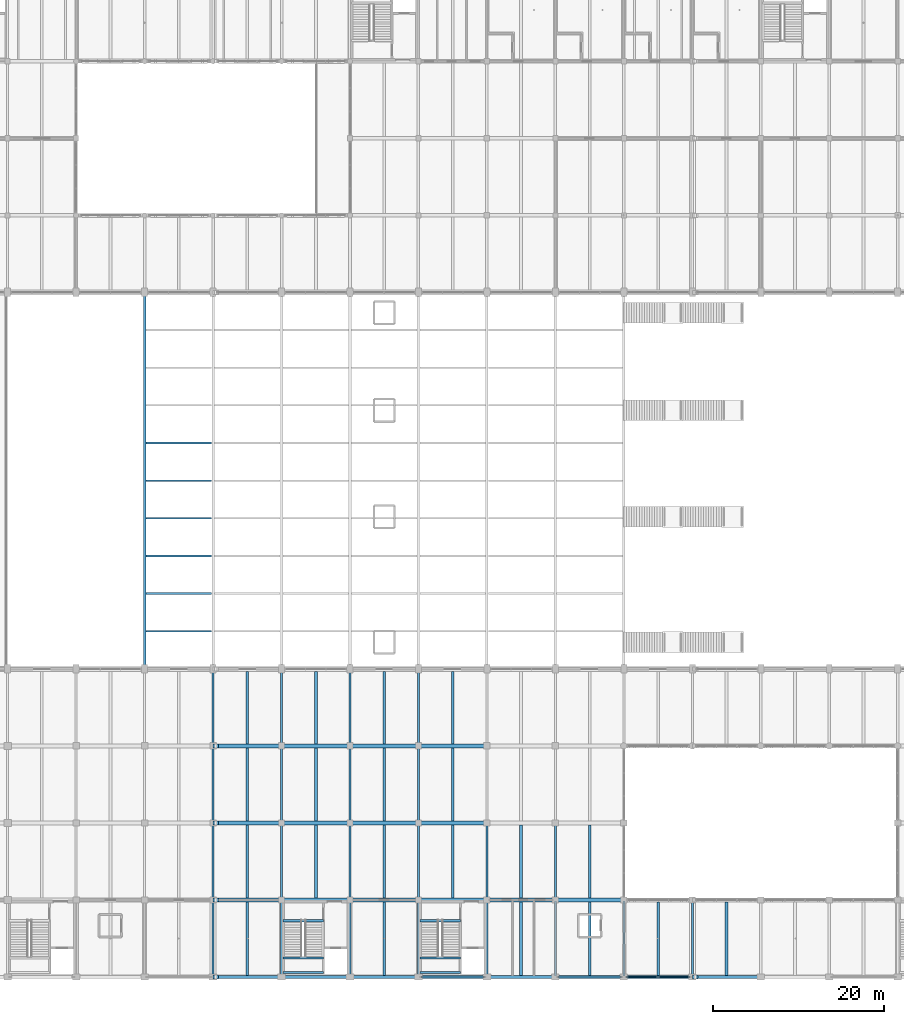
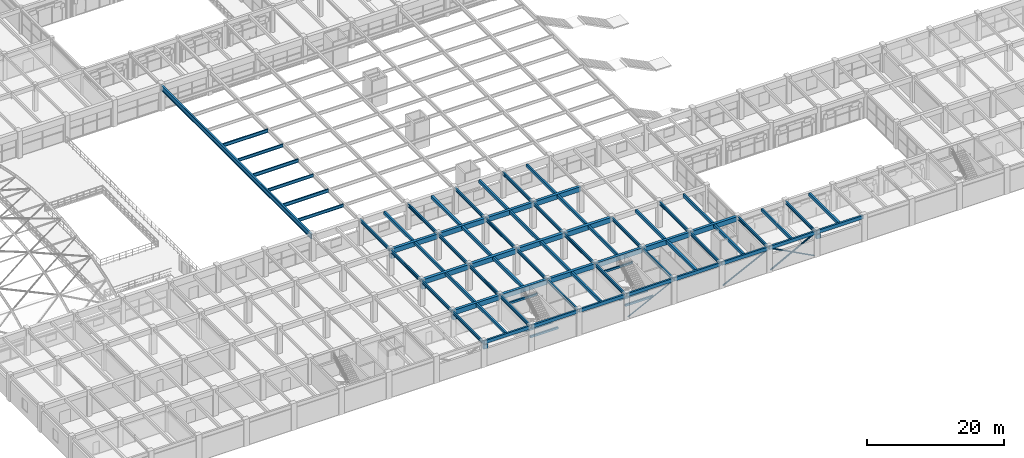
# One storey, part 17 of 144: 82 beams, 5 members.
"""IFC4 building model written with IfcOpenShell, lengths in metres."""

import ifcopenshell
import ifcopenshell.guid

model = None  # the IFC model being written
_history = None  # IfcOwnerHistory: only IFC2X3 demands one
_inside = {}  # id of a spatial element -> (the spatial element, [elements in it])
_under = {}  # id of a project, library or spatial element -> (it, [spatial elements below it])
_declared = {}  # id of a project -> (the project, [libraries it declares])
_typed = {}  # id of a type object -> (the type object, [elements of that type])
_made_of = {}  # id of a material, layer set ... -> (it, [elements and type objects made of it])


def new_model(schema):
    """Start an empty IFC model of exactly this schema.

    Asked for "IFC4X3", IfcOpenShell would pick the latest addendum, in which some entities
    have other attributes; the version numbers below select the first issue.
    IFC2X3 requires an IfcOwnerHistory on every rooted entity: one is made here for all.
    """
    global model, _history
    if schema == "IFC4X3":
        model = ifcopenshell.file(schema_version=(4, 3, 0, 0))
    else:
        model = ifcopenshell.file(schema=schema)
    _inside.clear()
    _under.clear()
    _declared.clear()
    _typed.clear()
    _made_of.clear()
    _history = None
    if model.schema == "IFC2X3":
        org = make("IfcOrganization", Name="unknown")
        user = make(
            "IfcPersonAndOrganization",
            ThePerson=make("IfcPerson", FamilyName="unknown"),
            TheOrganization=org,
        )
        app = make(
            "IfcApplication",
            ApplicationDeveloper=org,
            Version="unknown",
            ApplicationFullName="unknown",
            ApplicationIdentifier="unknown",
        )
        _history = make(
            "IfcOwnerHistory",
            OwningUser=user,
            OwningApplication=app,
            ChangeAction="ADDED",
            CreationDate=0,
        )
    return model


def make(cls, **values):
    """One entity of the class cls with the attributes given. An attribute that is None is left unset."""
    return model.create_entity(
        cls, **{name: value for name, value in values.items() if value is not None}
    )


def rooted(cls, **values):
    """An entity with a GlobalId (a new one), such as an element, a storey or a relation."""
    return make(cls, GlobalId=ifcopenshell.guid.new(), OwnerHistory=_history, **values)


def si_unit(unit_type, name, prefix=None):
    """IfcSIUnit, for example si_unit("LENGTHUNIT", "METRE", prefix="MILLI")."""
    return make("IfcSIUnit", UnitType=unit_type, Prefix=prefix, Name=name)


def assignment(units):
    """IfcUnitAssignment: the units of a project."""
    return None if units is None else make("IfcUnitAssignment", Units=units)


def point(xyz):
    """IfcCartesianPoint."""
    return None if xyz is None else make("IfcCartesianPoint", Coordinates=xyz)


def direction(xyz):
    """IfcDirection."""
    return None if xyz is None else make("IfcDirection", DirectionRatios=xyz)


def frame(location, z_axis=None, x_axis=None):
    """IfcAxis2Placement3D, a coordinate frame: its origin and axes. An axis left out is left unset."""
    return make(
        "IfcAxis2Placement3D",
        Location=point(location),
        Axis=direction(z_axis),
        RefDirection=direction(x_axis),
    )


def frame_2d(location, x_axis=None):
    """IfcAxis2Placement2D, a coordinate frame in the plane: its origin and x axis."""
    return make(
        "IfcAxis2Placement2D", Location=point(location), RefDirection=direction(x_axis)
    )


def origin():
    """The frame at (0, 0, 0) with its axes left unset."""
    return frame((0.0, 0.0, 0.0))


def origin_2d():
    """The frame at (0, 0) in the plane with its x axis left unset."""
    return frame_2d((0.0, 0.0))


def place(relative_to, where):
    """IfcLocalPlacement: puts the frame where relative to a parent placement (None: the world)."""
    return make(
        "IfcLocalPlacement", PlacementRelTo=relative_to, RelativePlacement=where
    )


def context(
    kind, dimensions, precision=None, world=None, true_north=None, identifier=None
):
    """IfcGeometricRepresentationContext, for example the 3D "Model" context."""
    return make(
        "IfcGeometricRepresentationContext",
        ContextIdentifier=identifier,
        ContextType=kind,
        CoordinateSpaceDimension=dimensions,
        Precision=precision,
        WorldCoordinateSystem=world,
        TrueNorth=true_north,
    )


def subcontext(parent, identifier, kind, view, scale=None):
    """IfcGeometricRepresentationSubContext, for example "Body" below "Model"."""
    return make(
        "IfcGeometricRepresentationSubContext",
        ContextIdentifier=identifier,
        ContextType=kind,
        ParentContext=parent,
        TargetScale=scale,
        TargetView=view,
    )


def project(units=None, contexts=None):
    """IfcProject with its units and contexts."""
    return rooted(
        "IfcProject",
        Name="project",
        RepresentationContexts=contexts,
        UnitsInContext=assignment(units),
    )


def spatial(cls, under=None, at=None, **own):
    """A site, building, storey or space (cls), placed at a placement, below another one or the project."""
    s = rooted(cls, ObjectPlacement=at, **own)
    if under is not None:
        _under.setdefault(under.id(), (under, []))[1].append(s)
    return s


def profile(cls, at=None, kind="AREA", **sizes):
    """A parametric profile (cls). Its sizes go by their IFC names, for example OverallWidth=200.0."""
    return make(cls, ProfileType=kind, Position=at, **sizes)


def rectangle(**sizes):
    """IfcRectangleProfileDef."""
    return profile("IfcRectangleProfileDef", **sizes)


def hollow_circle(**sizes):
    """IfcCircleHollowProfileDef."""
    return profile("IfcCircleHollowProfileDef", **sizes)


def i_section(**sizes):
    """IfcIShapeProfileDef."""
    return profile("IfcIShapeProfileDef", **sizes)


def extrude(swept, where, along, depth):
    """IfcExtrudedAreaSolid: the profile swept, set in the frame where, extruded along a direction by depth."""
    return make(
        "IfcExtrudedAreaSolid",
        SweptArea=swept,
        Position=where,
        ExtrudedDirection=direction(along),
        Depth=depth,
    )


def shape(context_of_items, identifier, shape_type, items):
    """IfcShapeRepresentation: the items that make up one representation, for example the "Body"."""
    return make(
        "IfcShapeRepresentation",
        ContextOfItems=context_of_items,
        RepresentationIdentifier=identifier,
        RepresentationType=shape_type,
        Items=items,
    )


def material(Name=None, Category=None):
    """IfcMaterial."""
    return make("IfcMaterial", Name=Name, Category=Category)


def material_profile(
    of_material, cross_section, Name=None, Category=None, Priority=None
):
    """IfcMaterialProfile: a cross section and its material."""
    return make(
        "IfcMaterialProfile",
        Name=Name,
        Material=of_material,
        Profile=cross_section,
        Priority=Priority,
        Category=Category,
    )


def profile_set(profiles, Name=None, composite=None):
    """IfcMaterialProfileSet."""
    return make(
        "IfcMaterialProfileSet",
        Name=Name,
        MaterialProfiles=profiles,
        CompositeProfile=composite,
    )


def made_of(thing, what):
    """Note that an element or type object is made of a material, layer set ...; save() writes the relation."""
    if what is not None:
        _made_of.setdefault(what.id(), (what, []))[1].append(thing)
    return thing


def type_object(cls, material=None, **own):
    """A type object (cls), such as IfcWallType, which elements share."""
    return made_of(rooted(cls, **own), material)


def element(
    cls,
    number,
    at=None,
    inside=None,
    cuts=None,
    type_object=None,
    material=None,
    context=None,
    identifier="Body",
    shape_type=None,
    held_by="IfcProductDefinitionShape",
    body=None,
    shapes=None,
    **own,
):
    """One element of the class cls, such as IfcWall. Its Tag is "e" and its number.

    at: its placement. inside: the storey or other place that contains it. cuts: it is an
    opening in that element (IfcRelVoidsElement). A single representation is given by context,
    identifier, shape_type and body (its items); several are given by shapes. held_by: the class
    of the entity that holds the representations. save() writes the other relations.
    """
    e = rooted(cls, Tag="e%d" % number, ObjectPlacement=at, **own)
    if body is not None:
        shapes = [shape(context, identifier, shape_type, body)]
    if shapes is not None:
        e.Representation = make(held_by, Representations=shapes)
    if inside is not None:
        _inside.setdefault(inside.id(), (inside, []))[1].append(e)
    if cuts is not None:
        rooted(
            "IfcRelVoidsElement", RelatingBuildingElement=cuts, RelatedOpeningElement=e
        )
    if type_object is not None:
        _typed.setdefault(type_object.id(), (type_object, []))[1].append(e)
    return made_of(e, material)


def aggregate(whole, parts):
    """IfcRelAggregates: a whole, such as a stair, and the parts it consists of."""
    return rooted("IfcRelAggregates", RelatingObject=whole, RelatedObjects=parts)


def save(model, path):
    """Write the relations noted so far, then the file.

    IfcRelAggregates (storeys below a building ...), IfcRelContainedInSpatialStructure (elements
    in a storey), IfcRelDefinesByType, IfcRelAssociatesMaterial and IfcRelDeclares: one each for
    every whole, place, type object, material and project.
    """
    for whole, parts in _under.values():
        aggregate(whole, parts)
    for where, things in _inside.values():
        rooted(
            "IfcRelContainedInSpatialStructure",
            RelatedElements=things,
            RelatingStructure=where,
        )
    for kind, things in _typed.values():
        rooted("IfcRelDefinesByType", RelatedObjects=things, RelatingType=kind)
    for what, things in _made_of.values():
        rooted("IfcRelAssociatesMaterial", RelatedObjects=things, RelatingMaterial=what)
    for by, libraries in _declared.values():
        rooted("IfcRelDeclares", RelatingContext=by, RelatedDefinitions=libraries)
    model.write(path)


model = new_model("IFC4")

# Units and contexts
model_context = context("Model", 3, precision=1e-05, world=origin(), true_north=direction((0.0, 1.0)))
body_context = subcontext(model_context, "Body", "Model", "MODEL_VIEW")
ifc_project = project(units=[si_unit("LENGTHUNIT", "METRE"), si_unit("AREAUNIT", "SQUARE_METRE"), si_unit("VOLUMEUNIT", "CUBIC_METRE"), si_unit("PLANEANGLEUNIT", "RADIAN"), si_unit("MASSUNIT", "GRAM", prefix="KILO")], contexts=[model_context])

# Site, building, storey
site_placement = place(None, origin())
site = spatial("IfcSite", under=ifc_project, at=site_placement, CompositionType="ELEMENT")
building_placement = place(site_placement, origin())
building = spatial("IfcBuilding", under=site, at=building_placement, Name="Varnabhumi Central Station", CompositionType="ELEMENT")
storey_placement = place(building_placement, frame((0.0, 0.0, 4.800048828125)))
storey = spatial("IfcBuildingStorey", under=building, at=storey_placement, Name="L01", CompositionType="ELEMENT", Elevation=4.800048828125)

# Beams
ifc_material_1 = material(Name="Structural steel E450", Category="steel")
ifc_material_profile_1 = material_profile(ifc_material_1, i_section(OverallWidth=0.300048828125, OverallDepth=0.89990234375, WebThickness=0.0185546875, FlangeThickness=0.034912109375, FilletRadius=0.030029296875, at=origin_2d()), Name="Structural steel E450", Category="steel")
ifc_profile_set_1 = profile_set([ifc_material_profile_1], Name="Structural steel E450")
beam_type_1 = type_object("IfcBeamType", Name="BM-CONC-WPB900", PredefinedType="BEAM", material=ifc_profile_set_1)
beam_1_placement = place(storey_placement, frame((56.0, 36.10009765625, 4.030029296875), z_axis=(0.0, 1.0, 0.0), x_axis=(-1.0, 0.0, 0.0)))
element("IfcBeam", 1, at=beam_1_placement, inside=storey, type_object=beam_type_1, Name="Concourse Bridge Plate Girder G-8", PredefinedType="BEAM", context=body_context, shape_type="SweptSolid", body=[
    extrude(i_section(OverallWidth=0.300048828125, OverallDepth=0.89990234375, WebThickness=0.0185546875, FlangeThickness=0.034912109375, FilletRadius=0.030029296875, at=origin_2d()), origin(), (0.0, 0.0, 1.0), 43.7998046875),
])
ifc_material_2 = material(Name="Structural steel E350", Category="steel")
ifc_material_profile_2 = material_profile(ifc_material_2, i_section(OverallWidth=0.18994140625, OverallDepth=0.550048828125, WebThickness=0.01123046875, FlangeThickness=0.019287109375, FilletRadius=0.01806640625, at=origin_2d()), Name="Structural steel E350", Category="steel")
ifc_profile_set_2 = profile_set([ifc_material_profile_2], Name="Structural steel E350")
beam_type_2 = type_object("IfcBeamType", Name="BM-JST-ISMB550", PredefinedType="JOIST", material=ifc_profile_set_2)
for number, where, z_axis, x_axis, name in (
    (2, (56.155029296875, 40.39990234375, 4.204833984375), (1.0, 0.0, 0.0), (0.0, 1.0, 0.0), "Concourse Stringer 8-9-S1"),
    (3, (56.155029296875, 49.199951171875, 4.204833984375), (1.0, 0.0, 0.0), (0.0, 1.0, 0.0), "Concourse Stringer 8-9-S3"),
    (4, (56.155029296875, 58.0, 4.204833984375), (1.0, 0.0, 0.0), (0.0, 1.0, 0.0), "Concourse Stringer 8-9-S5"),
):
    element("IfcBeam", number, at=place(storey_placement, frame(where, z_axis=z_axis, x_axis=x_axis)), inside=storey, type_object=beam_type_2, Name=name, PredefinedType="JOIST", context=body_context, shape_type="SweptSolid", body=[
        extrude(i_section(OverallWidth=0.18994140625, OverallDepth=0.550048828125, WebThickness=0.01123046875, FlangeThickness=0.019287109375, FilletRadius=0.01806640625, at=origin_2d()), origin(), (0.0, 0.0, 1.0), 7.68994140625),
    ])
ifc_material_profile_3 = material_profile(ifc_material_2, i_section(OverallWidth=0.2099609375, OverallDepth=0.60009765625, WebThickness=0.011962890625, FlangeThickness=0.020751953125, FilletRadius=0.02001953125, at=origin_2d()), Name="Structural steel E350", Category="steel")
ifc_profile_set_3 = profile_set([ifc_material_profile_3], Name="Structural steel E350")
beam_type_3 = type_object("IfcBeamType", Name="BM-JST-ISMB600", PredefinedType="JOIST", material=ifc_profile_set_3)
for number, where, z_axis, x_axis, name in (
    (5, (56.155029296875, 44.800048828125, 4.179931640625), (1.0, 0.0, 0.0), (0.0, 1.0, 0.0), "Concourse Stringer 8-9-S2"),
    (6, (56.155029296875, 53.60009765625, 4.179931640625), (1.0, 0.0, 0.0), (0.0, 1.0, 0.0), "Concourse Stringer 8-9-S4"),
    (7, (56.155029296875, 62.39990234375, 4.179931640625), (1.0, 0.0, 0.0), (0.0, 1.0, 0.0), "Concourse Stringer 8-9-S6"),
):
    element("IfcBeam", number, at=place(storey_placement, frame(where, z_axis=z_axis, x_axis=x_axis)), inside=storey, type_object=beam_type_3, Name=name, PredefinedType="JOIST", context=body_context, shape_type="SweptSolid", body=[
        extrude(i_section(OverallWidth=0.2099609375, OverallDepth=0.60009765625, WebThickness=0.011962890625, FlangeThickness=0.020751953125, FilletRadius=0.02001953125, at=origin_2d()), origin(), (0.0, 0.0, 1.0), 7.68994140625),
    ])
ifc_material_3 = material(Name="Concrete M35", Category="concrete")
ifc_material_profile_4 = material_profile(ifc_material_3, rectangle(XDim=0.25, YDim=0.35009765625, at=origin_2d()), Name="Concrete M35", Category="concrete")
ifc_profile_set_4 = profile_set([ifc_material_profile_4], Name="Concrete M35")
beam_type_4 = type_object("IfcBeamType", Name="BM-RC-250x350", PredefinedType="LINTEL", material=ifc_profile_set_4)
for number, where, z_axis, x_axis, name in (
    (8, (88.179931640625, 0.5400390625, 2.044921875), (1.0, 0.0, 0.0), (0.0, 1.0, 0.0), "ST-S2 L01 Half Landing Support Beam 1"),
    (9, (88.179931640625, 2.205078125, 2.044921875), (1.0, 0.0, 0.0), (0.0, 1.0, 0.0), "ST-S2 L01 Half Landing Support Beam 2"),
    (10, (88.179931640625, 6.580078125, 4.375), (1.0, 0.0, 0.0), (0.0, 1.0, 0.0), "ST-S2 L01 Floor Opening Trimmer Beam"),
    (11, (72.179931640625, 0.5400390625, 2.044921875), (1.0, 0.0, 0.0), (0.0, 1.0, 0.0), "ST-S4 L01 Half Landing Support Beam 1"),
    (12, (72.179931640625, 2.205078125, 2.044921875), (1.0, 0.0, 0.0), (0.0, 1.0, 0.0), "ST-S4 L01 Half Landing Support Beam 2"),
    (13, (72.179931640625, 6.580078125, 4.375), (1.0, 0.0, 0.0), (0.0, 1.0, 0.0), "ST-S4 L01 Floor Opening Trimmer Beam"),
):
    element("IfcBeam", number, at=place(storey_placement, frame(where, z_axis=z_axis, x_axis=x_axis)), inside=storey, type_object=beam_type_4, Name=name, PredefinedType="LINTEL", context=body_context, shape_type="SweptSolid", body=[
        extrude(rectangle(XDim=0.25, YDim=0.35009765625, at=origin_2d()), origin(), (0.0, 0.0, 1.0), 4.719970703125),
    ])
ifc_material_4 = material(Name="Concrete M40", Category="concrete")
ifc_material_profile_5 = material_profile(ifc_material_4, rectangle(XDim=0.300048828125, YDim=0.5, at=origin_2d()), Name="Concrete M40", Category="concrete")
ifc_profile_set_5 = profile_set([ifc_material_profile_5], Name="Concrete M40")
beam_type_5 = type_object("IfcBeamType", Name="BM-RC-300x500", PredefinedType="JOIST", material=ifc_profile_set_5)
for number, where, z_axis, x_axis, name in (
    (14, (68.0, 0.14990234375, 4.300048828125), (0.0, 1.0, 0.0), (-1.0, 0.0, 0.0), "Secondary Joist L01-9/10:A-B"),
    (15, (116.0, 0.14990234375, 4.300048828125), (0.0, 1.0, 0.0), (-1.0, 0.0, 0.0), "Secondary Joist L01-15/16:A-B"),
):
    element("IfcBeam", number, at=place(storey_placement, frame(where, z_axis=z_axis, x_axis=x_axis)), inside=storey, type_object=beam_type_5, Name=name, PredefinedType="JOIST", context=body_context, shape_type="SweptSolid", body=[
        extrude(rectangle(XDim=0.300048828125, YDim=0.5, at=origin_2d()), origin(), (0.0, 0.0, 1.0), 8.625),
    ])
for number, where, z_axis, x_axis, name in (
    (16, (68.0, 9.22509765625, 4.300048828125), (0.0, 1.0, 0.0), (-1.0, 0.0, 0.0), "Secondary Joist L01-9/10:B-C"),
    (17, (92.0, 9.22509765625, 4.300048828125), (0.0, 1.0, 0.0), (-1.0, 0.0, 0.0), "Secondary Joist L01-12/13:B-C"),
    (18, (68.0, 18.25, 4.300048828125), (0.0, 1.0, 0.0), (-1.0, 0.0, 0.0), "Secondary Joist L01-9/10:C-D"),
    (19, (92.0, 18.25, 4.300048828125), (0.0, 1.0, 0.0), (-1.0, 0.0, 0.0), "Secondary Joist L01-12/13:C-D"),
):
    element("IfcBeam", number, at=place(storey_placement, frame(where, z_axis=z_axis, x_axis=x_axis)), inside=storey, type_object=beam_type_5, Name=name, PredefinedType="JOIST", context=body_context, shape_type="SweptSolid", body=[
        extrude(rectangle(XDim=0.300048828125, YDim=0.5, at=origin_2d()), origin(), (0.0, 0.0, 1.0), 8.52490234375),
    ])
for number, where, z_axis, x_axis, name in (
    (20, (68.0, 27.22509765625, 4.300048828125), (0.0, 1.0, 0.0), (-1.0, 0.0, 0.0), "Secondary Joist L01-9/10:D-E"),
    (21, (92.0, 27.22509765625, 4.300048828125), (0.0, 1.0, 0.0), (-1.0, 0.0, 0.0), "Secondary Joist L01-12/13:D-E"),
):
    element("IfcBeam", number, at=place(storey_placement, frame(where, z_axis=z_axis, x_axis=x_axis)), inside=storey, type_object=beam_type_5, Name=name, PredefinedType="JOIST", context=body_context, shape_type="SweptSolid", body=[
        extrude(rectangle(XDim=0.300048828125, YDim=0.5, at=origin_2d()), origin(), (0.0, 0.0, 1.0), 8.474853515625),
    ])
ifc_material_profile_6 = material_profile(ifc_material_4, rectangle(XDim=0.300048828125, YDim=0.550048828125, at=origin_2d()), Name="Concrete M40", Category="concrete")
ifc_profile_set_6 = profile_set([ifc_material_profile_6], Name="Concrete M40")
beam_type_6 = type_object("IfcBeamType", Name="BM-RC-300x550", PredefinedType="JOIST", material=ifc_profile_set_6)
for number, where, z_axis, x_axis, name in (
    (22, (84.0, 0.14990234375, 4.27490234375), (0.0, 1.0, 0.0), (-1.0, 0.0, 0.0), "Secondary Joist L01-11/12:A-B"),
    (23, (108.0, 0.14990234375, 4.27490234375), (0.0, 1.0, 0.0), (-1.0, 0.0, 0.0), "Secondary Joist L01-14/15:A-B"),
):
    element("IfcBeam", number, at=place(storey_placement, frame(where, z_axis=z_axis, x_axis=x_axis)), inside=storey, type_object=beam_type_6, Name=name, PredefinedType="JOIST", context=body_context, shape_type="SweptSolid", body=[
        extrude(rectangle(XDim=0.300048828125, YDim=0.550048828125, at=origin_2d()), origin(), (0.0, 0.0, 1.0), 8.625),
    ])
for number, where, z_axis, x_axis, name in (
    (24, (84.0, 9.22509765625, 4.27490234375), (0.0, 1.0, 0.0), (-1.0, 0.0, 0.0), "Secondary Joist L01-11/12:B-C"),
    (25, (108.0, 9.22509765625, 4.27490234375), (0.0, 1.0, 0.0), (-1.0, 0.0, 0.0), "Secondary Joist L01-14/15:B-C"),
    (26, (84.0, 18.25, 4.27490234375), (0.0, 1.0, 0.0), (-1.0, 0.0, 0.0), "Secondary Joist L01-11/12:C-D"),
):
    element("IfcBeam", number, at=place(storey_placement, frame(where, z_axis=z_axis, x_axis=x_axis)), inside=storey, type_object=beam_type_6, Name=name, PredefinedType="JOIST", context=body_context, shape_type="SweptSolid", body=[
        extrude(rectangle(XDim=0.300048828125, YDim=0.550048828125, at=origin_2d()), origin(), (0.0, 0.0, 1.0), 8.52490234375),
    ])
beam_2_placement = place(storey_placement, frame((84.0, 27.22509765625, 4.27490234375), z_axis=(0.0, 1.0, 0.0), x_axis=(-1.0, 0.0, 0.0)))
element("IfcBeam", 27, at=beam_2_placement, inside=storey, type_object=beam_type_6, Name="Secondary Joist L01-11/12:D-E", PredefinedType="JOIST", context=body_context, shape_type="SweptSolid", body=[
    extrude(rectangle(XDim=0.300048828125, YDim=0.550048828125, at=origin_2d()), origin(), (0.0, 0.0, 1.0), 8.474853515625),
])
ifc_material_profile_7 = material_profile(ifc_material_4, rectangle(XDim=0.300048828125, YDim=0.60009765625, at=origin_2d()), Name="Concrete M40", Category="concrete")
ifc_profile_set_7 = profile_set([ifc_material_profile_7], Name="Concrete M40")
beam_type_7 = type_object("IfcBeamType", Name="BM-RC-300x600", PredefinedType="SPANDREL", material=ifc_profile_set_7)
for number, where, z_axis, x_axis, name in (
    (28, (64.10009765625, 0.0, 4.25), (1.0, 0.0, 0.0), (0.0, 1.0, 0.0), "Beam L01-A:9-10"),
    (29, (72.10009765625, 0.0, 4.25), (1.0, 0.0, 0.0), (0.0, 1.0, 0.0), "Beam L01-A:10-11"),
    (30, (80.10009765625, 0.0, 4.25), (1.0, 0.0, 0.0), (0.0, 1.0, 0.0), "Beam L01-A:11-12"),
    (31, (88.10009765625, 0.0, 4.25), (1.0, 0.0, 0.0), (0.0, 1.0, 0.0), "Beam L01-A:12-13"),
    (32, (96.10009765625, 0.0, 4.25), (1.0, 0.0, 0.0), (0.0, 1.0, 0.0), "Beam L01-A:13-14"),
    (33, (104.10009765625, 0.0, 4.25), (1.0, 0.0, 0.0), (0.0, 1.0, 0.0), "Beam L01-A:14-15"),
    (34, (112.10009765625, 0.0, 4.25), (1.0, 0.0, 0.0), (0.0, 1.0, 0.0), "Beam L01-A:15-16"),
    (35, (120.10009765625, 0.0, 4.25), (1.0, 0.0, 0.0), (0.0, 1.0, 0.0), "Beam L01-A:16-17"),
):
    element("IfcBeam", number, at=place(storey_placement, frame(where, z_axis=z_axis, x_axis=x_axis)), inside=storey, type_object=beam_type_7, Name=name, PredefinedType="SPANDREL", context=body_context, shape_type="SweptSolid", body=[
        extrude(rectangle(XDim=0.300048828125, YDim=0.60009765625, at=origin_2d()), origin(), (0.0, 0.0, 1.0), 7.7998046875),
    ])
ifc_material_profile_8 = material_profile(ifc_material_4, rectangle(XDim=0.35009765625, YDim=0.5, at=origin_2d()), Name="Concrete M40", Category="concrete")
ifc_profile_set_8 = profile_set([ifc_material_profile_8], Name="Concrete M40")
beam_type_8 = type_object("IfcBeamType", Name="BM-RC-350x500", PredefinedType="JOIST", material=ifc_profile_set_8)
for number, where, z_axis, x_axis, name in (
    (36, (100.0, 0.14990234375, 4.300048828125), (0.0, 1.0, 0.0), (-1.0, 0.0, 0.0), "Secondary Joist L01-13/14:A-B"),
    (37, (124.0, 0.14990234375, 4.300048828125), (0.0, 1.0, 0.0), (-1.0, 0.0, 0.0), "Secondary Joist L01-16/17:A-B"),
):
    element("IfcBeam", number, at=place(storey_placement, frame(where, z_axis=z_axis, x_axis=x_axis)), inside=storey, type_object=beam_type_8, Name=name, PredefinedType="JOIST", context=body_context, shape_type="SweptSolid", body=[
        extrude(rectangle(XDim=0.35009765625, YDim=0.5, at=origin_2d()), origin(), (0.0, 0.0, 1.0), 8.625),
    ])
for number, where, z_axis, x_axis, name in (
    (38, (76.0, 9.22509765625, 4.300048828125), (0.0, 1.0, 0.0), (-1.0, 0.0, 0.0), "Secondary Joist L01-10/11:B-C"),
    (39, (100.0, 9.22509765625, 4.300048828125), (0.0, 1.0, 0.0), (-1.0, 0.0, 0.0), "Secondary Joist L01-13/14:B-C"),
    (40, (76.0, 18.25, 4.300048828125), (0.0, 1.0, 0.0), (-1.0, 0.0, 0.0), "Secondary Joist L01-10/11:C-D"),
):
    element("IfcBeam", number, at=place(storey_placement, frame(where, z_axis=z_axis, x_axis=x_axis)), inside=storey, type_object=beam_type_8, Name=name, PredefinedType="JOIST", context=body_context, shape_type="SweptSolid", body=[
        extrude(rectangle(XDim=0.35009765625, YDim=0.5, at=origin_2d()), origin(), (0.0, 0.0, 1.0), 8.52490234375),
    ])
beam_3_placement = place(storey_placement, frame((76.0, 27.22509765625, 4.300048828125), z_axis=(0.0, 1.0, 0.0), x_axis=(-1.0, 0.0, 0.0)))
element("IfcBeam", 41, at=beam_3_placement, inside=storey, type_object=beam_type_8, Name="Secondary Joist L01-10/11:D-E", PredefinedType="JOIST", context=body_context, shape_type="SweptSolid", body=[
    extrude(rectangle(XDim=0.35009765625, YDim=0.5, at=origin_2d()), origin(), (0.0, 0.0, 1.0), 8.474853515625),
])
ifc_material_profile_9 = material_profile(ifc_material_4, rectangle(XDim=0.449951171875, YDim=0.75, at=origin_2d()), Name="Concrete M40", Category="concrete")
ifc_profile_set_9 = profile_set([ifc_material_profile_9], Name="Concrete M40")
beam_type_9 = type_object("IfcBeamType", Name="BM-RC-450x750", PredefinedType="BEAM", material=ifc_profile_set_9)
for number, where, z_axis, x_axis, name in (
    (42, (64.0, 0.0, 3.494873046875), (1.0, 0.0, 0.0), (0.0, 1.0, 0.0), "Movement Joint 650mm Corbel Seat L01-A-9"),
    (43, (64.0, 9.0, 3.244873046875), (1.0, 0.0, 0.0), (0.0, 1.0, 0.0), "Movement Joint 650mm Corbel Seat L01-B-9"),
    (44, (64.0, 18.0, 3.244873046875), (1.0, 0.0, 0.0), (0.0, 1.0, 0.0), "Movement Joint 650mm Corbel Seat L01-C-9"),
    (45, (64.0, 27.0, 3.244873046875), (1.0, 0.0, 0.0), (0.0, 1.0, 0.0), "Movement Joint 650mm Corbel Seat L01-D-9"),
    (46, (120.0, 0.0, 3.494873046875), (1.0, 0.0, 0.0), (0.0, 1.0, 0.0), "Movement Joint 650mm Corbel Seat L01-A-16"),
):
    element("IfcBeam", number, at=place(storey_placement, frame(where, z_axis=z_axis, x_axis=x_axis)), inside=storey, type_object=beam_type_9, Name=name, PredefinedType="BEAM", context=body_context, shape_type="SweptSolid", body=[
        extrude(rectangle(XDim=0.449951171875, YDim=0.75, at=origin_2d()), origin(), (0.0, 0.0, 1.0), 0.64990234375),
    ])
ifc_material_profile_10 = material_profile(ifc_material_4, rectangle(XDim=0.449951171875, YDim=0.85009765625, at=origin_2d()), Name="Concrete M40", Category="concrete")
ifc_profile_set_10 = profile_set([ifc_material_profile_10], Name="Concrete M40")
beam_type_10 = type_object("IfcBeamType", Name="BM-RC-450x850", PredefinedType="BEAM", material=ifc_profile_set_10)
for number, where, z_axis, x_axis, name in (
    (47, (64.10009765625, 9.0, 4.125), (1.0, 0.0, 0.0), (0.0, 1.0, 0.0), "Beam L01-B:9-10"),
    (48, (64.10009765625, 27.0, 4.125), (1.0, 0.0, 0.0), (0.0, 1.0, 0.0), "Beam L01-D:9-10"),
    (49, (72.10009765625, 9.0, 4.125), (1.0, 0.0, 0.0), (0.0, 1.0, 0.0), "Beam L01-B:10-11"),
    (50, (72.10009765625, 27.0, 4.125), (1.0, 0.0, 0.0), (0.0, 1.0, 0.0), "Beam L01-D:10-11"),
    (51, (80.10009765625, 9.0, 4.125), (1.0, 0.0, 0.0), (0.0, 1.0, 0.0), "Beam L01-B:11-12"),
    (52, (80.10009765625, 27.0, 4.125), (1.0, 0.0, 0.0), (0.0, 1.0, 0.0), "Beam L01-D:11-12"),
    (53, (88.10009765625, 9.0, 4.125), (1.0, 0.0, 0.0), (0.0, 1.0, 0.0), "Beam L01-B:12-13"),
    (54, (88.10009765625, 27.0, 4.125), (1.0, 0.0, 0.0), (0.0, 1.0, 0.0), "Beam L01-D:12-13"),
    (55, (96.10009765625, 9.0, 4.125), (1.0, 0.0, 0.0), (0.0, 1.0, 0.0), "Beam L01-B:13-14"),
    (56, (104.10009765625, 9.0, 4.125), (1.0, 0.0, 0.0), (0.0, 1.0, 0.0), "Beam L01-B:14-15"),
):
    element("IfcBeam", number, at=place(storey_placement, frame(where, z_axis=z_axis, x_axis=x_axis)), inside=storey, type_object=beam_type_10, Name=name, PredefinedType="BEAM", context=body_context, shape_type="SweptSolid", body=[
        extrude(rectangle(XDim=0.449951171875, YDim=0.85009765625, at=origin_2d()), origin(), (0.0, 0.0, 1.0), 7.7998046875),
    ])
ifc_material_profile_11 = material_profile(ifc_material_4, rectangle(XDim=0.5, YDim=0.85009765625, at=origin_2d()), Name="Concrete M40", Category="concrete")
ifc_profile_set_11 = profile_set([ifc_material_profile_11], Name="Concrete M40")
beam_type_11 = type_object("IfcBeamType", Name="BM-RC-500x850", PredefinedType="BEAM", material=ifc_profile_set_11)
for number, where, z_axis, x_axis, name in (
    (57, (64.10009765625, 18.0, 4.125), (1.0, 0.0, 0.0), (0.0, 1.0, 0.0), "Beam L01-C:9-10"),
    (58, (72.10009765625, 18.0, 4.125), (1.0, 0.0, 0.0), (0.0, 1.0, 0.0), "Beam L01-C:10-11"),
    (59, (80.10009765625, 18.0, 4.125), (1.0, 0.0, 0.0), (0.0, 1.0, 0.0), "Beam L01-C:11-12"),
    (60, (88.10009765625, 18.0, 4.125), (1.0, 0.0, 0.0), (0.0, 1.0, 0.0), "Beam L01-C:12-13"),
):
    element("IfcBeam", number, at=place(storey_placement, frame(where, z_axis=z_axis, x_axis=x_axis)), inside=storey, type_object=beam_type_11, Name=name, PredefinedType="BEAM", context=body_context, shape_type="SweptSolid", body=[
        extrude(rectangle(XDim=0.5, YDim=0.85009765625, at=origin_2d()), origin(), (0.0, 0.0, 1.0), 7.7998046875),
    ])
ifc_material_profile_12 = material_profile(ifc_material_2, i_section(OverallWidth=0.25, OverallDepth=0.550048828125, WebThickness=0.010498046875, FlangeThickness=0.017578125, FilletRadius=0.01611328125, at=origin_2d()), Name="Structural steel E350", Category="steel")
ifc_profile_set_12 = profile_set([ifc_material_profile_12], Name="Structural steel E350")
beam_type_12 = type_object("IfcBeamType", Name="BM-STL-ISWB550", PredefinedType="BEAM", material=ifc_profile_set_12)
for number, where, z_axis, x_axis, name in (
    (61, (64.0, 0.10009765625, 4.27490234375), (0.0, 1.0, 0.0), (-1.0, 0.0, 0.0), "Beam L01-9:A-B"),
    (62, (72.0, 0.10009765625, 4.27490234375), (0.0, 1.0, 0.0), (-1.0, 0.0, 0.0), "Beam L01-10:A-B"),
    (63, (80.0, 0.10009765625, 4.27490234375), (0.0, 1.0, 0.0), (-1.0, 0.0, 0.0), "Beam L01-11:A-B"),
    (64, (88.0, 0.10009765625, 4.27490234375), (0.0, 1.0, 0.0), (-1.0, 0.0, 0.0), "Beam L01-12:A-B"),
    (65, (96.0, 0.10009765625, 4.27490234375), (0.0, 1.0, 0.0), (-1.0, 0.0, 0.0), "Beam L01-13:A-B"),
    (66, (104.0, 0.10009765625, 4.27490234375), (0.0, 1.0, 0.0), (-1.0, 0.0, 0.0), "Beam L01-14:A-B"),
    (67, (112.0, 0.10009765625, 4.27490234375), (0.0, 1.0, 0.0), (-1.0, 0.0, 0.0), "Beam L01-15:A-B"),
    (68, (120.0, 0.10009765625, 4.27490234375), (0.0, 1.0, 0.0), (-1.0, 0.0, 0.0), "Beam L01-16:A-B"),
    (69, (64.0, 9.10009765625, 4.27490234375), (0.0, 1.0, 0.0), (-1.0, 0.0, 0.0), "Beam L01-9:B-C"),
    (70, (72.0, 9.10009765625, 4.27490234375), (0.0, 1.0, 0.0), (-1.0, 0.0, 0.0), "Beam L01-10:B-C"),
    (71, (80.0, 9.10009765625, 4.27490234375), (0.0, 1.0, 0.0), (-1.0, 0.0, 0.0), "Beam L01-11:B-C"),
    (72, (88.0, 9.10009765625, 4.27490234375), (0.0, 1.0, 0.0), (-1.0, 0.0, 0.0), "Beam L01-12:B-C"),
    (73, (96.0, 9.10009765625, 4.27490234375), (0.0, 1.0, 0.0), (-1.0, 0.0, 0.0), "Beam L01-13:B-C"),
    (74, (104.0, 9.10009765625, 4.27490234375), (0.0, 1.0, 0.0), (-1.0, 0.0, 0.0), "Beam L01-14:B-C"),
    (75, (64.0, 18.10009765625, 4.27490234375), (0.0, 1.0, 0.0), (-1.0, 0.0, 0.0), "Beam L01-9:C-D"),
    (76, (72.0, 18.10009765625, 4.27490234375), (0.0, 1.0, 0.0), (-1.0, 0.0, 0.0), "Beam L01-10:C-D"),
    (77, (80.0, 18.10009765625, 4.27490234375), (0.0, 1.0, 0.0), (-1.0, 0.0, 0.0), "Beam L01-11:C-D"),
    (78, (88.0, 18.10009765625, 4.27490234375), (0.0, 1.0, 0.0), (-1.0, 0.0, 0.0), "Beam L01-12:C-D"),
    (79, (64.0, 27.10009765625, 4.27490234375), (0.0, 1.0, 0.0), (-1.0, 0.0, 0.0), "Beam L01-9:D-E"),
    (80, (72.0, 27.10009765625, 4.27490234375), (0.0, 1.0, 0.0), (-1.0, 0.0, 0.0), "Beam L01-10:D-E"),
    (81, (80.0, 27.10009765625, 4.27490234375), (0.0, 1.0, 0.0), (-1.0, 0.0, 0.0), "Beam L01-11:D-E"),
    (82, (88.0, 27.10009765625, 4.27490234375), (0.0, 1.0, 0.0), (-1.0, 0.0, 0.0), "Beam L01-12:D-E"),
):
    element("IfcBeam", number, at=place(storey_placement, frame(where, z_axis=z_axis, x_axis=x_axis)), inside=storey, type_object=beam_type_12, Name=name, PredefinedType="BEAM", context=body_context, shape_type="SweptSolid", body=[
        extrude(i_section(OverallWidth=0.25, OverallDepth=0.550048828125, WebThickness=0.010498046875, FlangeThickness=0.017578125, FilletRadius=0.01611328125, at=origin_2d()), origin(), (0.0, 0.0, 1.0), 8.7998046875),
    ])

# Members
ifc_material_profile_13 = material_profile(ifc_material_2, hollow_circle(Radius=0.109619140625, WallThickness=0.010009765625, at=origin_2d()), Name="Structural steel E350", Category="steel")
ifc_profile_set_13 = profile_set([ifc_material_profile_13], Name="Structural steel E350")
member_type_1 = type_object("IfcMemberType", Name="MBR-BRACE-CHS219", PredefinedType="BRACE", material=ifc_profile_set_13)
for number, where, z_axis, x_axis, name in (
    (83, (112.320068359375, 0.0, 4.099853515625), (0.883618805875, 0.0, -0.468207011806), (0.0, 1.0, 0.0), "Spine Lateral Split Brace L01-A:15-16B1"),
    (84, (116.141357421875, 0.0, 2.074951171875), (0.883618805875, 0.0, -0.468207011806), (0.0, 1.0, 0.0), "Spine Lateral Split Brace L01-A:15-16B2"),
):
    element("IfcMember", number, at=place(storey_placement, frame(where, z_axis=z_axis, x_axis=x_axis)), inside=storey, type_object=member_type_1, Name=name, PredefinedType="BRACE", context=body_context, shape_type="SweptSolid", body=[
        extrude(hollow_circle(Radius=0.109619140625, WallThickness=0.010009765625, at=origin_2d()), origin(), (0.0, 0.0, 1.0), 4.004638671875),
    ])
ifc_material_profile_14 = material_profile(ifc_material_2, hollow_circle(Radius=0.136474609375, WallThickness=0.011962890625, at=origin_2d()), Name="Structural steel E350", Category="steel")
ifc_profile_set_14 = profile_set([ifc_material_profile_14], Name="Structural steel E350")
member_type_2 = type_object("IfcMemberType", Name="MBR-BRACE-CHS273", PredefinedType="BRACE", material=ifc_profile_set_14)
member_1_placement = place(storey_placement, frame((112.320068359375, 0.0, 0.199951171875), z_axis=(0.88361388963, 0.0, 0.468216289821), x_axis=(0.0, 1.0, 0.0)))
element("IfcMember", 85, at=member_1_placement, inside=storey, type_object=member_type_2, Name="Spine Lateral Continuous Brace L01-A:15-16A", PredefinedType="BRACE", context=body_context, shape_type="SweptSolid", body=[
    extrude(hollow_circle(Radius=0.136474609375, WallThickness=0.011962890625, at=origin_2d()), origin(), (0.0, 0.0, 1.0), 8.329345703125),
])
ifc_material_profile_15 = material_profile(ifc_material_2, hollow_circle(Radius=0.096923828125, WallThickness=0.008056640625, at=origin_2d()), Name="Structural steel E350", Category="steel")
ifc_profile_set_15 = profile_set([ifc_material_profile_15], Name="Structural steel E350")
member_type_3 = type_object("IfcMemberType", Name="MBR-PURL-CHS193", PredefinedType="PURLIN", material=ifc_profile_set_15)
member_2_placement = place(storey_placement, frame((88.320068359375, 0.0, 0.25), z_axis=(0.895884545566, 0.0, 0.444286935455), x_axis=(0.0, 1.0, 0.0)))
element("IfcMember", 86, at=member_2_placement, inside=storey, type_object=member_type_3, Name="Lateral Frame Brace WB-11", PredefinedType="PURLIN", context=body_context, shape_type="SweptSolid", body=[
    extrude(hollow_circle(Radius=0.096923828125, WallThickness=0.008056640625, at=origin_2d()), origin(), (0.0, 0.0, 1.0), 8.215087890625),
])
ifc_material_profile_16 = material_profile(ifc_material_2, hollow_circle(Radius=0.122314453125, WallThickness=0.010009765625, at=origin_2d()), Name="Structural steel E350", Category="steel")
ifc_profile_set_16 = profile_set([ifc_material_profile_16], Name="Structural steel E350")
member_type_4 = type_object("IfcMemberType", Name="MBR-PURL-CHS244", PredefinedType="PURLIN", material=ifc_profile_set_16)
member_3_placement = place(storey_placement, frame((104.320068359375, 0.0, 0.25), z_axis=(0.895884545566, 0.0, 0.444286935455), x_axis=(0.0, 1.0, 0.0)))
element("IfcMember", 87, at=member_3_placement, inside=storey, type_object=member_type_4, Name="Lateral Frame Brace WB-12", PredefinedType="PURLIN", context=body_context, shape_type="SweptSolid", body=[
    extrude(hollow_circle(Radius=0.122314453125, WallThickness=0.010009765625, at=origin_2d()), origin(), (0.0, 0.0, 1.0), 8.215087890625),
])

save(model, "model.ifc")
